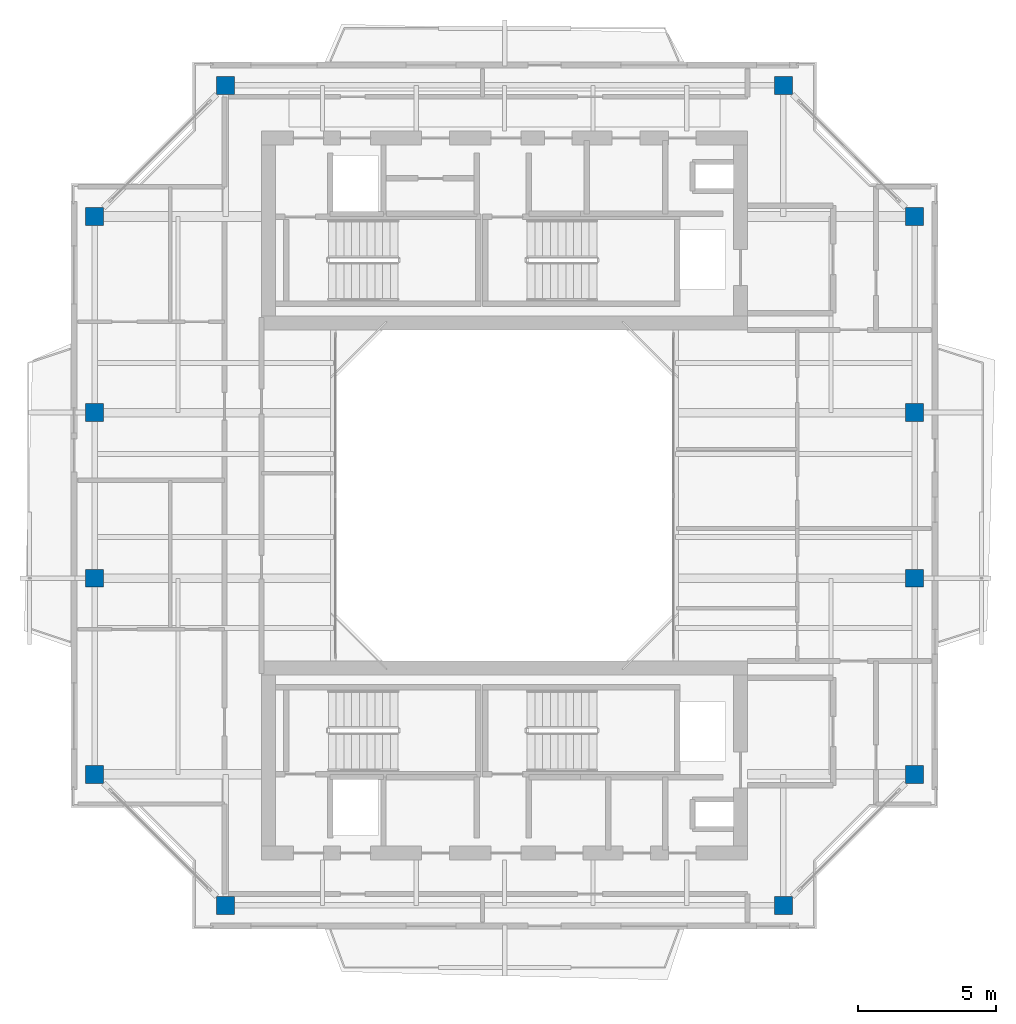
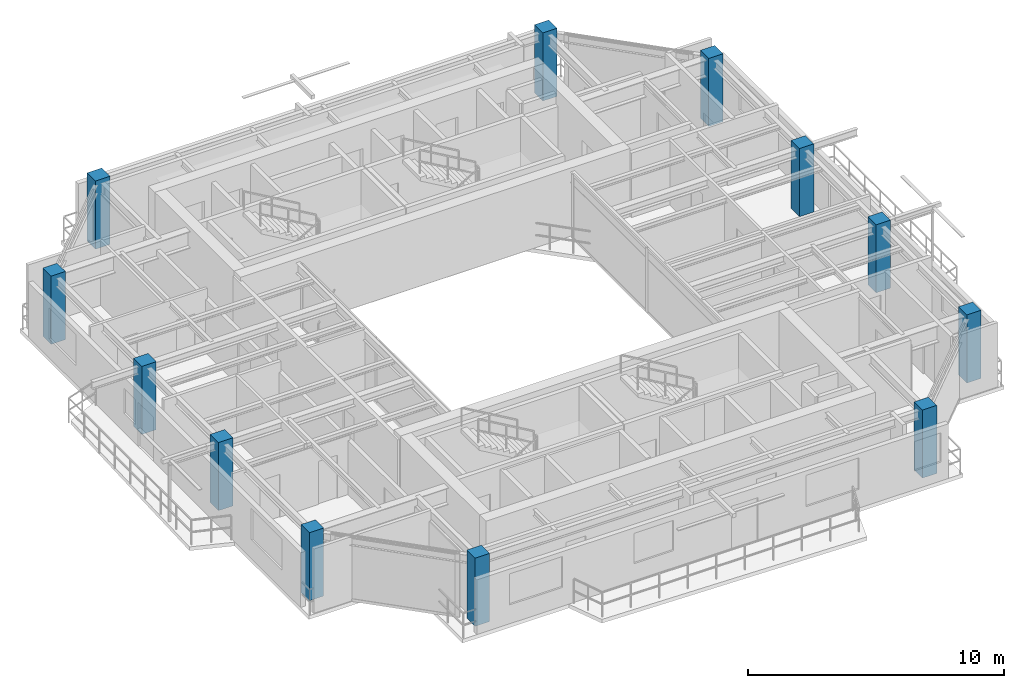
# One storey, part 1 of 15: 12 columns.
"""IFC4 building model written with IfcOpenShell, lengths in metres."""

from ifc_helpers import new_model, si_unit, direction, frame, origin, origin_2d, place, context, subcontext, project, spatial, rectangle, extrude, source, transform, mapped, material, material_profile, profile_set, type_object, element, save


model = new_model("IFC4")

# Units and contexts
model_context = context("Model", 3, precision=1e-05, world=origin(), true_north=direction((0.0, 1.0)))
body_context = subcontext(model_context, "Body", "Model", "MODEL_VIEW")
ifc_project = project(units=[si_unit("LENGTHUNIT", "METRE"), si_unit("AREAUNIT", "SQUARE_METRE"), si_unit("VOLUMEUNIT", "CUBIC_METRE"), si_unit("PLANEANGLEUNIT", "RADIAN"), si_unit("MASSUNIT", "GRAM", prefix="KILO"), si_unit("THERMODYNAMICTEMPERATUREUNIT", "KELVIN"), si_unit("POWERUNIT", "WATT")], contexts=[model_context])

# Site, building, storey
site_placement = place(None, origin())
site = spatial("IfcSite", under=ifc_project, at=site_placement, CompositionType="ELEMENT")
building_placement = place(site_placement, origin())
building = spatial("IfcBuilding", under=site, at=building_placement, Name="Qiaomeng Ring Towers", CompositionType="ELEMENT")
storey_placement = place(building_placement, frame((0.0, 0.0, 250.25)))
storey = spatial("IfcBuildingStorey", under=building, at=storey_placement, Name="L73", CompositionType="ELEMENT", Elevation=250.25)

# Columns
ifc_material = material(Name="Concrete C40", Category="concrete")
ifc_material_profile = material_profile(ifc_material, rectangle(XDim=0.64990234375, YDim=0.64990234375, at=origin_2d()), Name="RC COL 650x650")
ifc_profile_set = profile_set([ifc_material_profile], Name="Concrete C40")
column_type = type_object("IfcColumnType", Name="STR-COL-650-C40", PredefinedType="COLUMN", material=ifc_profile_set)
shared_shape = source(origin(), body_context, "Body", "SweptSolid", [
    extrude(rectangle(XDim=0.64990234375, YDim=0.64990234375, at=origin_2d()), origin(), (0.0, 0.0, 1.0), 3.25),
])
for number, where, z_axis, x_axis, name in (
    (1, (8.89990234375, 8.14990234375, 0.0), (0.0, 0.0, 1.0), (1.0, 0.0, 0.0), "L73 column STR-COL-L73-T1-S1"),
    (2, (29.10009765625, 8.14990234375, 0.0), (0.0, 0.0, 1.0), (1.0, 0.0, 0.0), "L73 column STR-COL-L73-T1-S2"),
    (3, (33.85009765625, 12.89990234375, 0.0), (0.0, 0.0, 1.0), (1.0, 0.0, 0.0), "L73 column STR-COL-L73-T1-E1"),
    (4, (33.85009765625, 20.0, 0.0), (0.0, 0.0, 1.0), (1.0, 0.0, 0.0), "L73 column STR-COL-L73-T1-E2"),
    (5, (33.85009765625, 26.0, 0.0), (0.0, 0.0, 1.0), (1.0, 0.0, 0.0), "L73 column STR-COL-L73-T1-E3"),
    (6, (33.85009765625, 33.10009765625, 0.0), (0.0, 0.0, 1.0), (1.0, 0.0, 0.0), "L73 column STR-COL-L73-T1-E4"),
    (7, (29.10009765625, 37.85009765625, 0.0), (0.0, 0.0, 1.0), (1.0, 0.0, 0.0), "L73 column STR-COL-L73-T1-N2"),
    (8, (8.89990234375, 37.85009765625, 0.0), (0.0, 0.0, 1.0), (1.0, 0.0, 0.0), "L73 column STR-COL-L73-T1-N1"),
    (9, (4.14990234375, 33.10009765625, 0.0), (0.0, 0.0, 1.0), (1.0, 0.0, 0.0), "L73 column STR-COL-L73-T1-W4"),
    (10, (4.14990234375, 26.0, 0.0), (0.0, 0.0, 1.0), (1.0, 0.0, 0.0), "L73 column STR-COL-L73-T1-W3"),
    (11, (4.14990234375, 20.0, 0.0), (0.0, 0.0, 1.0), (1.0, 0.0, 0.0), "L73 column STR-COL-L73-T1-W2"),
    (12, (4.14990234375, 12.89990234375, 0.0), (0.0, 0.0, 1.0), (1.0, 0.0, 0.0), "L73 column STR-COL-L73-T1-W1"),
):
    element("IfcColumn", number, at=place(storey_placement, frame(where, z_axis=z_axis, x_axis=x_axis)), inside=storey, type_object=column_type, Name=name, PredefinedType="COLUMN", context=body_context, shape_type="MappedRepresentation", body=[
        mapped(shared_shape, transform((0.0, 0.0, 0.0), x_axis=(1.0, 0.0, 0.0), y_axis=(0.0, 1.0, 0.0), z_axis=(0.0, 0.0, 1.0), scale=1.0)),
    ])

save(model, "model.ifc")
